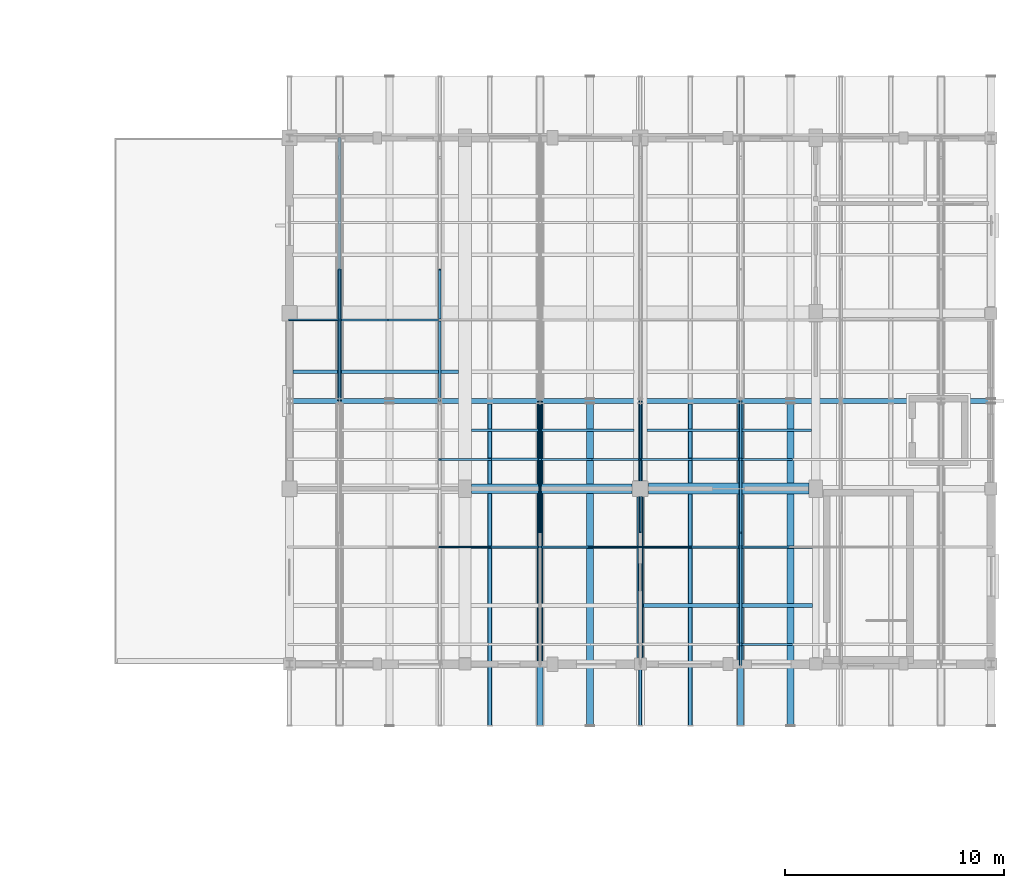
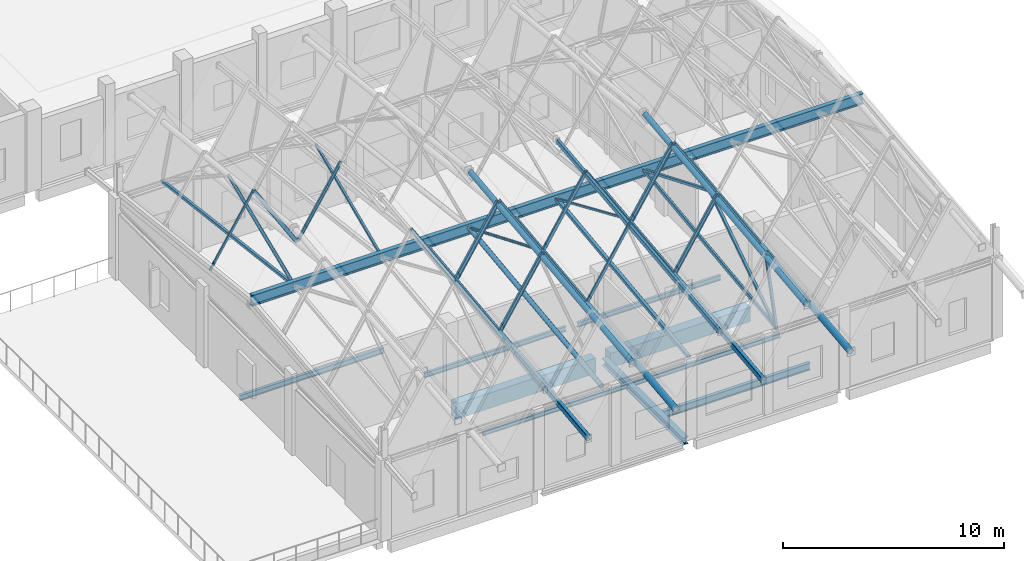
# One storey, part 21 of 77: 29 members, 17 beams.
"""IFC4 building model written with IfcOpenShell, lengths in metres."""

from ifc_helpers import new_model, si_unit, direction, frame, origin, origin_2d, place, context, subcontext, project, spatial, rectangle, hollow_rectangle, hollow_circle, i_section, extrude, material, material_profile, profile_set, type_object, element, save


model = new_model("IFC4")

# Units and contexts
model_context = context("Model", 3, precision=1e-05, world=origin(), true_north=direction((0.0, 1.0)))
body_context = subcontext(model_context, "Body", "Model", "MODEL_VIEW")
ifc_project = project(units=[si_unit("LENGTHUNIT", "METRE"), si_unit("AREAUNIT", "SQUARE_METRE"), si_unit("VOLUMEUNIT", "CUBIC_METRE"), si_unit("PLANEANGLEUNIT", "RADIAN"), si_unit("MASSUNIT", "GRAM", prefix="KILO")], contexts=[model_context])

# Site, building, storey
site_placement = place(None, origin())
site = spatial("IfcSite", under=ifc_project, at=site_placement, CompositionType="ELEMENT")
building_placement = place(site_placement, origin())
building = spatial("IfcBuilding", under=site, at=building_placement, Name="Luwemba Playhouse", CompositionType="ELEMENT")
storey_placement = place(building_placement, frame((0.0, 0.0, 9.300048828125)))
storey = spatial("IfcBuildingStorey", under=building, at=storey_placement, Name="L02", CompositionType="ELEMENT", Elevation=9.300048828125)

# Beams
ifc_material_1 = material(Name="Concrete C40/50", Category="concrete")
ifc_material_profile_1 = material_profile(ifc_material_1, rectangle(XDim=0.449951171875, YDim=0.85009765625, at=origin_2d()))
ifc_profile_set_1 = profile_set([ifc_material_profile_1], Name="Concrete C40/50")
beam_type_1 = type_object("IfcBeamType", Name="BM-RB05", PredefinedType="BEAM", material=ifc_profile_set_1)
beam_1_placement = place(storey_placement, frame((148.300048828125, 44.0, -0.675048828125), z_axis=(1.0, 0.0, 0.0), x_axis=(0.0, 1.0, 0.0)))
element("IfcBeam", 1, at=beam_1_placement, inside=storey, type_object=beam_type_1, Name="L02 grid girder 0703", PredefinedType="BEAM", context=body_context, shape_type="SweptSolid", body=[
    extrude(rectangle(XDim=0.449951171875, YDim=0.85009765625, at=origin_2d()), origin(), (0.0, 0.0, 1.0), 7.324951171875),
])
ifc_material_profile_2 = material_profile(ifc_material_1, rectangle(XDim=0.5, YDim=0.800048828125, at=origin_2d()))
ifc_profile_set_2 = profile_set([ifc_material_profile_2], Name="Concrete C40/50")
beam_type_2 = type_object("IfcBeamType", Name="BM-RB06", PredefinedType="BEAM", material=ifc_profile_set_2)
beam_2_placement = place(storey_placement, frame((156.375, 44.0, -0.650146484375), z_axis=(1.0, 0.0, 0.0), x_axis=(0.0, 1.0, 0.0)))
element("IfcBeam", 2, at=beam_2_placement, inside=storey, type_object=beam_type_2, Name="L02 grid girder 0704", PredefinedType="BEAM", context=body_context, shape_type="SweptSolid", body=[
    extrude(rectangle(XDim=0.5, YDim=0.800048828125, at=origin_2d()), origin(), (0.0, 0.0, 1.0), 7.324951171875),
])
ifc_material_2 = material(Name="Steel S355", Category="steel")
ifc_material_profile_3 = material_profile(ifc_material_2, hollow_rectangle(XDim=0.14990234375, YDim=0.25, WallThickness=0.010009765625, InnerFilletRadius=0.014892578125, OuterFilletRadius=0.02490234375, at=origin_2d()))
ifc_profile_set_3 = profile_set([ifc_material_profile_3], Name="Steel S355")
beam_type_3 = type_object("IfcBeamType", Name="BM-RTG1", PredefinedType="USERDEFINED", material=ifc_profile_set_3)
beam_3_placement = place(storey_placement, frame((156.0, 33.199951171875, 7.483154296875), z_axis=(0.0, 0.993766358241, 0.111482847235), x_axis=(-1.0, 0.0, 0.0)))
element("IfcBeam", 3, at=beam_3_placement, inside=storey, type_object=beam_type_3, Name="ROOF TRUSS ridge girder 0179", ObjectType="ROOF TRUSS", PredefinedType="USERDEFINED", context=body_context, shape_type="SweptSolid", body=[
    extrude(hollow_rectangle(XDim=0.14990234375, YDim=0.25, WallThickness=0.010009765625, InnerFilletRadius=0.014892578125, OuterFilletRadius=0.02490234375, at=origin_2d()), origin(), (0.0, 0.0, 1.0), 14.781982421875),
])
ifc_material_profile_4 = material_profile(ifc_material_2, hollow_rectangle(XDim=0.199951171875, YDim=0.300048828125, WallThickness=0.012451171875, InnerFilletRadius=0.018798828125, OuterFilletRadius=0.03125, at=origin_2d()))
ifc_profile_set_4 = profile_set([ifc_material_profile_4], Name="Steel S355")
beam_type_4 = type_object("IfcBeamType", Name="BM-RTG2", PredefinedType="USERDEFINED", material=ifc_profile_set_4)
for number, where, z_axis, x_axis, name in (
    (4, (149.142822265625, 33.199951171875, 3.998046875), (0.0, 0.993768187881, 0.11146653648), (-1.0, 0.0, 0.0), "ROOF TRUSS valley girder 0173"),
    (5, (158.28564453125, 33.199951171875, 3.998046875), (0.0, 0.993768187881, 0.11146653648), (-1.0, 0.0, 0.0), "ROOF TRUSS valley girder 0181"),
):
    element("IfcBeam", number, at=place(storey_placement, frame(where, z_axis=z_axis, x_axis=x_axis)), inside=storey, type_object=beam_type_4, Name=name, ObjectType="ROOF TRUSS", PredefinedType="USERDEFINED", context=body_context, shape_type="SweptSolid", body=[
        extrude(hollow_rectangle(XDim=0.199951171875, YDim=0.300048828125, WallThickness=0.012451171875, InnerFilletRadius=0.018798828125, OuterFilletRadius=0.03125, at=origin_2d()), origin(), (0.0, 0.0, 1.0), 14.781982421875),
    ])
ifc_material_profile_5 = material_profile(ifc_material_2, hollow_circle(Radius=0.136474609375, WallThickness=0.012451171875, at=origin_2d()))
ifc_profile_set_5 = profile_set([ifc_material_profile_5], Name="Steel S355")
beam_type_5 = type_object("IfcBeamType", Name="BM-RTG3", PredefinedType="USERDEFINED", material=ifc_profile_set_5)
for number, where, z_axis, x_axis, name in (
    (6, (151.4287109375, 33.199951171875, 7.373291015625), (0.0, 0.993768187881, 0.11146653648), (-1.0, 0.0, 0.0), "ROOF TRUSS ridge girder 0175"),
    (7, (160.5712890625, 33.199951171875, 7.37353515625), (0.0, 0.993768187881, 0.11146653648), (-1.0, 0.0, 0.0), "ROOF TRUSS ridge girder 0183"),
):
    element("IfcBeam", number, at=place(storey_placement, frame(where, z_axis=z_axis, x_axis=x_axis)), inside=storey, type_object=beam_type_5, Name=name, ObjectType="ROOF TRUSS", PredefinedType="USERDEFINED", context=body_context, shape_type="SweptSolid", body=[
        extrude(hollow_circle(Radius=0.136474609375, WallThickness=0.012451171875, at=origin_2d()), origin(), (0.0, 0.0, 1.0), 14.781982421875),
    ])
ifc_material_profile_6 = material_profile(ifc_material_2, hollow_circle(Radius=0.161865234375, WallThickness=0.01611328125, at=origin_2d()))
ifc_profile_set_6 = profile_set([ifc_material_profile_6], Name="Steel S355")
beam_type_6 = type_object("IfcBeamType", Name="BM-RTG4", PredefinedType="USERDEFINED", material=ifc_profile_set_6)
for number, where, z_axis, x_axis, name in (
    (8, (153.71435546875, 33.199951171875, 3.986328125), (0.0, 0.993768187881, 0.11146653648), (-1.0, 0.0, 0.0), "ROOF TRUSS valley girder 0177"),
    (9, (162.857177734375, 33.199951171875, 3.986083984375), (0.0, 0.993768187881, 0.11146653648), (-1.0, 0.0, 0.0), "ROOF TRUSS valley girder 0185"),
):
    element("IfcBeam", number, at=place(storey_placement, frame(where, z_axis=z_axis, x_axis=x_axis)), inside=storey, type_object=beam_type_6, Name=name, ObjectType="ROOF TRUSS", PredefinedType="USERDEFINED", context=body_context, shape_type="SweptSolid", body=[
        extrude(hollow_circle(Radius=0.161865234375, WallThickness=0.01611328125, at=origin_2d()), origin(), (0.0, 0.0, 1.0), 14.781982421875),
    ])
ifc_material_profile_7 = material_profile(ifc_material_2, i_section(OverallWidth=0.300048828125, OverallDepth=0.389892578125, WebThickness=0.010986328125, FlangeThickness=0.01904296875, FilletRadius=0.027099609375, at=origin_2d()))
ifc_profile_set_7 = profile_set([ifc_material_profile_7], Name="Steel S355")
beam_type_7 = type_object("IfcBeamType", Name="BM-SB05", PredefinedType="BEAM", material=ifc_profile_set_7)
beam_4_placement = place(storey_placement, frame((156.0, 36.300048828125, -0.445068359375), z_axis=(0.0, 1.0, 0.0), x_axis=(-1.0, 0.0, 0.0)))
element("IfcBeam", 10, at=beam_4_placement, inside=storey, type_object=beam_type_7, Name="L02 transverse girder 0717", PredefinedType="BEAM", context=body_context, shape_type="SweptSolid", body=[
    extrude(i_section(OverallWidth=0.300048828125, OverallDepth=0.389892578125, WebThickness=0.010986328125, FlangeThickness=0.01904296875, FilletRadius=0.027099609375, at=origin_2d()), origin(), (0.0, 0.0, 1.0), 7.324951171875),
])
ifc_material_profile_8 = material_profile(ifc_material_2, i_section(OverallWidth=0.219970703125, OverallDepth=0.60009765625, WebThickness=0.011962890625, FlangeThickness=0.01904296875, FilletRadius=0.02392578125, at=origin_2d()))
ifc_profile_set_8 = profile_set([ifc_material_profile_8], Name="Steel S355")
beam_type_8 = type_object("IfcBeamType", Name="BM-SB08", PredefinedType="BEAM", material=ifc_profile_set_8)
beam_5_placement = place(storey_placement, frame((140.0, 48.0, 5.865966796875), z_axis=(1.0, 0.0, 0.0), x_axis=(0.0, 1.0, 0.0)))
element("IfcBeam", 11, at=beam_5_placement, inside=storey, type_object=beam_type_8, Name="RF-V3 central ridge spine girder 0164", PredefinedType="BEAM", context=body_context, shape_type="SweptSolid", body=[
    extrude(i_section(OverallWidth=0.219970703125, OverallDepth=0.60009765625, WebThickness=0.011962890625, FlangeThickness=0.01904296875, FilletRadius=0.02392578125, at=origin_2d()), origin(), (0.0, 0.0, 1.0), 32.0),
])
ifc_material_profile_9 = material_profile(ifc_material_2, i_section(OverallWidth=0.1201171875, OverallDepth=0.239990234375, WebThickness=0.006103515625, FlangeThickness=0.009765625, FilletRadius=0.014892578125, at=origin_2d()))
ifc_profile_set_9 = profile_set([ifc_material_profile_9], Name="Steel S355")
beam_type_9 = type_object("IfcBeamType", Name="BM-SJ03", PredefinedType="JOIST", material=ifc_profile_set_9)
beam_6_placement = place(storey_placement, frame((148.27099609375, 41.333251953125, -0.3701171875), z_axis=(1.0, 0.0, 0.0), x_axis=(0.0, 1.0, 0.0)))
element("IfcBeam", 12, at=beam_6_placement, inside=storey, type_object=beam_type_9, Name="L02 composite floor joist 0411", PredefinedType="JOIST", context=body_context, shape_type="SweptSolid", body=[
    extrude(i_section(OverallWidth=0.1201171875, OverallDepth=0.239990234375, WebThickness=0.006103515625, FlangeThickness=0.009765625, FilletRadius=0.014892578125, at=origin_2d()), origin(), (0.0, 0.0, 1.0), 7.5830078125),
])
beam_7_placement = place(storey_placement, frame((156.14599609375, 41.333251953125, -0.3701171875), z_axis=(1.0, 0.0, 0.0), x_axis=(0.0, 1.0, 0.0)))
element("IfcBeam", 13, at=beam_7_placement, inside=storey, type_object=beam_type_9, Name="L02 composite floor joist 0417", PredefinedType="JOIST", context=body_context, shape_type="SweptSolid", body=[
    extrude(i_section(OverallWidth=0.1201171875, OverallDepth=0.239990234375, WebThickness=0.006103515625, FlangeThickness=0.009765625, FilletRadius=0.014892578125, at=origin_2d()), origin(), (0.0, 0.0, 1.0), 7.7080078125),
])
ifc_material_profile_10 = material_profile(ifc_material_2, i_section(OverallWidth=0.135009765625, OverallDepth=0.27001953125, WebThickness=0.006591796875, FlangeThickness=0.01025390625, FilletRadius=0.014892578125, at=origin_2d()))
ifc_profile_set_10 = profile_set([ifc_material_profile_10], Name="Steel S355")
beam_type_10 = type_object("IfcBeamType", Name="BM-SJ04", PredefinedType="JOIST", material=ifc_profile_set_10)
beam_8_placement = place(storey_placement, frame((148.2958984375, 46.666748046875, -0.385009765625), z_axis=(1.0, 0.0, 0.0), x_axis=(0.0, 1.0, 0.0)))
element("IfcBeam", 14, at=beam_8_placement, inside=storey, type_object=beam_type_10, Name="L02 composite floor joist 0412", PredefinedType="JOIST", context=body_context, shape_type="SweptSolid", body=[
    extrude(i_section(OverallWidth=0.135009765625, OverallDepth=0.27001953125, WebThickness=0.006591796875, FlangeThickness=0.01025390625, FilletRadius=0.014892578125, at=origin_2d()), origin(), (0.0, 0.0, 1.0), 7.408203125),
])
beam_9_placement = place(storey_placement, frame((156.2958984375, 46.666748046875, -0.385009765625), z_axis=(1.0, 0.0, 0.0), x_axis=(0.0, 1.0, 0.0)))
element("IfcBeam", 15, at=beam_9_placement, inside=storey, type_object=beam_type_10, Name="L02 composite floor joist 0418", PredefinedType="JOIST", context=body_context, shape_type="SweptSolid", body=[
    extrude(i_section(OverallWidth=0.135009765625, OverallDepth=0.27001953125, WebThickness=0.006591796875, FlangeThickness=0.01025390625, FilletRadius=0.014892578125, at=origin_2d()), origin(), (0.0, 0.0, 1.0), 7.508056640625),
])
ifc_material_profile_11 = material_profile(ifc_material_2, i_section(OverallWidth=0.14990234375, OverallDepth=0.300048828125, WebThickness=0.007080078125, FlangeThickness=0.0107421875, FilletRadius=0.014892578125, at=origin_2d()))
ifc_profile_set_11 = profile_set([ifc_material_profile_11], Name="Steel S355")
beam_type_11 = type_object("IfcBeamType", Name="BM-SJ05", PredefinedType="JOIST", material=ifc_profile_set_11)
beam_10_placement = place(storey_placement, frame((140.1708984375, 49.333251953125, -0.400146484375), z_axis=(1.0, 0.0, 0.0), x_axis=(0.0, 1.0, 0.0)))
element("IfcBeam", 16, at=beam_10_placement, inside=storey, type_object=beam_type_11, Name="L02 composite floor joist 0407", PredefinedType="JOIST", context=body_context, shape_type="SweptSolid", body=[
    extrude(i_section(OverallWidth=0.14990234375, OverallDepth=0.300048828125, WebThickness=0.007080078125, FlangeThickness=0.0107421875, FilletRadius=0.014892578125, at=origin_2d()), origin(), (0.0, 0.0, 1.0), 7.533203125),
])
ifc_material_profile_12 = material_profile(ifc_material_2, i_section(OverallWidth=0.179931640625, OverallDepth=0.39990234375, WebThickness=0.008544921875, FlangeThickness=0.013427734375, FilletRadius=0.02099609375, at=origin_2d()))
ifc_profile_set_12 = profile_set([ifc_material_profile_12], Name="Steel S355")
beam_type_12 = type_object("IfcBeamType", Name="BM-SJ08", PredefinedType="JOIST", material=ifc_profile_set_12)
beam_11_placement = place(storey_placement, frame((156.14599609375, 38.666748046875, -0.449951171875), z_axis=(1.0, 0.0, 0.0), x_axis=(0.0, 1.0, 0.0)))
element("IfcBeam", 17, at=beam_11_placement, inside=storey, type_object=beam_type_12, Name="L02 composite floor joist 0416", PredefinedType="JOIST", context=body_context, shape_type="SweptSolid", body=[
    extrude(i_section(OverallWidth=0.179931640625, OverallDepth=0.39990234375, WebThickness=0.008544921875, FlangeThickness=0.013427734375, FilletRadius=0.02099609375, at=origin_2d()), origin(), (0.0, 0.0, 1.0), 7.7080078125),
])

# Members
ifc_material_profile_13 = material_profile(ifc_material_2, hollow_circle(Radius=0.06982421875, WallThickness=0.008056640625, at=origin_2d()))
ifc_profile_set_13 = profile_set([ifc_material_profile_13], Name="Steel S355")
member_type_1 = type_object("IfcMemberType", Name="MEM-MB01", PredefinedType="BRACE", material=ifc_profile_set_13)
member_1_placement = place(storey_placement, frame((151.4287109375, 48.0, 5.865966796875), z_axis=(0.0, -0.923383434978, 0.38387892884), x_axis=(1.0, 0.0, 0.0)))
element("IfcMember", 18, at=member_1_placement, inside=storey, type_object=member_type_1, Name="ROOF TRUSS web diagonal 0154", PredefinedType="BRACE", context=body_context, shape_type="SweptSolid", body=[
    extrude(hollow_circle(Radius=0.06982421875, WallThickness=0.008056640625, at=origin_2d()), origin(), (0.0, 0.0, 1.0), 6.497802734375),
])
ifc_material_profile_14 = material_profile(ifc_material_2, hollow_circle(Radius=0.084228515625, WallThickness=0.008056640625, at=origin_2d()))
ifc_profile_set_14 = profile_set([ifc_material_profile_14], Name="Steel S355")
member_type_2 = type_object("IfcMemberType", Name="MEM-MB02", PredefinedType="BRACE", material=ifc_profile_set_14)
member_2_placement = place(storey_placement, frame((142.28564453125, 48.0, 5.865966796875), z_axis=(0.0, 0.923383434978, 0.38387892884), x_axis=(-1.0, 0.0, 0.0)))
element("IfcMember", 19, at=member_2_placement, inside=storey, type_object=member_type_2, Name="ROOF TRUSS web diagonal 0143", PredefinedType="BRACE", context=body_context, shape_type="SweptSolid", body=[
    extrude(hollow_circle(Radius=0.084228515625, WallThickness=0.008056640625, at=origin_2d()), origin(), (0.0, 0.0, 1.0), 6.497802734375),
])
ifc_material_profile_15 = material_profile(ifc_material_2, hollow_rectangle(XDim=0.10009765625, YDim=0.10009765625, WallThickness=0.00634765625, InnerFilletRadius=0.009521484375, OuterFilletRadius=0.015869140625, at=origin_2d()))
ifc_profile_set_15 = profile_set([ifc_material_profile_15], Name="Steel S355")
member_type_3 = type_object("IfcMemberType", Name="MEM-MB05", PredefinedType="BRACE", material=ifc_profile_set_15)
member_3_placement = place(storey_placement, frame((156.0, 48.0, 5.865966796875), z_axis=(0.0, -0.917304885727, 0.398185568072), x_axis=(1.0, 0.0, 0.0)))
element("IfcMember", 20, at=member_3_placement, inside=storey, type_object=member_type_3, Name="ROOF TRUSS web diagonal 0160", PredefinedType="BRACE", context=body_context, shape_type="SweptSolid", body=[
    extrude(hollow_rectangle(XDim=0.10009765625, YDim=0.10009765625, WallThickness=0.00634765625, InnerFilletRadius=0.009521484375, OuterFilletRadius=0.015869140625, at=origin_2d()), origin(), (0.0, 0.0, 1.0), 6.541015625),
])
ifc_material_profile_16 = material_profile(ifc_material_2, hollow_rectangle(XDim=0.1201171875, YDim=0.1201171875, WallThickness=0.008056640625, InnerFilletRadius=0.011962890625, OuterFilletRadius=0.02001953125, at=origin_2d()))
ifc_profile_set_16 = profile_set([ifc_material_profile_16], Name="Steel S355")
member_type_4 = type_object("IfcMemberType", Name="MEM-MB06", PredefinedType="BRACE", material=ifc_profile_set_16)
member_4_placement = place(storey_placement, frame((146.857177734375, 48.0, 5.865966796875), z_axis=(0.0, 0.917304885727, 0.398185568072), x_axis=(-1.0, 0.0, 0.0)))
element("IfcMember", 21, at=member_4_placement, inside=storey, type_object=member_type_4, Name="ROOF TRUSS web diagonal 0149", PredefinedType="BRACE", context=body_context, shape_type="SweptSolid", body=[
    extrude(hollow_rectangle(XDim=0.1201171875, YDim=0.1201171875, WallThickness=0.008056640625, InnerFilletRadius=0.011962890625, OuterFilletRadius=0.02001953125, at=origin_2d()), origin(), (0.0, 0.0, 1.0), 6.541015625),
])
ifc_material_profile_17 = material_profile(ifc_material_2, hollow_rectangle(XDim=0.139892578125, YDim=0.139892578125, WallThickness=0.008056640625, InnerFilletRadius=0.011962890625, OuterFilletRadius=0.02001953125, at=origin_2d()))
ifc_profile_set_17 = profile_set([ifc_material_profile_17], Name="Steel S355")
member_type_5 = type_object("IfcMemberType", Name="MEM-MB07", PredefinedType="BRACE", material=ifc_profile_set_17)
member_5_placement = place(storey_placement, frame((160.5712890625, 36.0, 4.39990234375), z_axis=(0.0, 0.834565065681, 0.550909385602), x_axis=(-1.0, 0.0, 0.0)))
element("IfcMember", 22, at=member_5_placement, inside=storey, type_object=member_type_5, Name="ROOF TRUSS web diagonal 0165", PredefinedType="BRACE", context=body_context, shape_type="SweptSolid", body=[
    extrude(hollow_rectangle(XDim=0.139892578125, YDim=0.139892578125, WallThickness=0.008056640625, InnerFilletRadius=0.011962890625, OuterFilletRadius=0.02001953125, at=origin_2d()), origin(), (0.0, 0.0, 1.0), 7.189453125),
])
member_6_placement = place(storey_placement, frame((160.5712890625, 48.0, 5.865966796875), z_axis=(0.0, -0.923370116363, 0.383910963908), x_axis=(1.0, 0.0, 0.0)))
element("IfcMember", 23, at=member_6_placement, inside=storey, type_object=member_type_5, Name="ROOF TRUSS web diagonal 0166", PredefinedType="BRACE", context=body_context, shape_type="SweptSolid", body=[
    extrude(hollow_rectangle(XDim=0.139892578125, YDim=0.139892578125, WallThickness=0.008056640625, InnerFilletRadius=0.011962890625, OuterFilletRadius=0.02001953125, at=origin_2d()), origin(), (0.0, 0.0, 1.0), 6.498046875),
])
member_7_placement = place(storey_placement, frame((160.5712890625, 36.0, 4.39990234375), z_axis=(0.0, 0.256682973169, 0.966495655078), x_axis=(-1.0, 0.0, 0.0)))
element("IfcMember", 24, at=member_7_placement, inside=storey, type_object=member_type_5, Name="ROOF TRUSS eave knee strut 0038", PredefinedType="BRACE", context=body_context, shape_type="SweptSolid", body=[
    extrude(hollow_rectangle(XDim=0.139892578125, YDim=0.139892578125, WallThickness=0.008056640625, InnerFilletRadius=0.011962890625, OuterFilletRadius=0.02001953125, at=origin_2d()), origin(), (0.0, 0.0, 1.0), 3.505859375),
])
ifc_material_profile_18 = material_profile(ifc_material_2, hollow_circle(Radius=0.122314453125, WallThickness=0.012451171875, at=origin_2d()))
ifc_profile_set_18 = profile_set([ifc_material_profile_18], Name="Steel S355")
member_type_6 = type_object("IfcMemberType", Name="MEM-MC01", PredefinedType="CHORD", material=ifc_profile_set_18)
member_8_placement = place(storey_placement, frame((151.4287109375, 36.0, 4.39990234375), z_axis=(0.0, 0.99261951546, 0.121270348924), x_axis=(-1.0, 0.0, 0.0)))
element("IfcMember", 25, at=member_8_placement, inside=storey, type_object=member_type_6, Name="ROOF TRUSS south bottom chord 0151", PredefinedType="CHORD", context=body_context, shape_type="SweptSolid", body=[
    extrude(hollow_circle(Radius=0.122314453125, WallThickness=0.012451171875, at=origin_2d()), origin(), (0.0, 0.0, 1.0), 12.089111328125),
])
ifc_material_profile_19 = material_profile(ifc_material_2, hollow_rectangle(XDim=0.14990234375, YDim=0.14990234375, WallThickness=0.010009765625, InnerFilletRadius=0.014892578125, OuterFilletRadius=0.02490234375, at=origin_2d()))
ifc_profile_set_19 = profile_set([ifc_material_profile_19], Name="Steel S355")
member_type_7 = type_object("IfcMemberType", Name="MEM-MC02", PredefinedType="CHORD", material=ifc_profile_set_19)
member_9_placement = place(storey_placement, frame((142.28564453125, 48.0, 5.865966796875), z_axis=(0.0, 0.99261951546, -0.121270348924), x_axis=(-1.0, 0.0, 0.0)))
element("IfcMember", 26, at=member_9_placement, inside=storey, type_object=member_type_7, Name="ROOF TRUSS north bottom chord 0140", PredefinedType="CHORD", context=body_context, shape_type="SweptSolid", body=[
    extrude(hollow_rectangle(XDim=0.14990234375, YDim=0.14990234375, WallThickness=0.010009765625, InnerFilletRadius=0.014892578125, OuterFilletRadius=0.02490234375, at=origin_2d()), origin(), (0.0, 0.0, 1.0), 12.089111328125),
])
ifc_material_profile_20 = material_profile(ifc_material_2, hollow_rectangle(XDim=0.179931640625, YDim=0.179931640625, WallThickness=0.010009765625, InnerFilletRadius=0.014892578125, OuterFilletRadius=0.02490234375, at=origin_2d()))
ifc_profile_set_20 = profile_set([ifc_material_profile_20], Name="Steel S355")
member_type_8 = type_object("IfcMemberType", Name="MEM-MC03", PredefinedType="CHORD", material=ifc_profile_set_20)
member_10_placement = place(storey_placement, frame((156.0, 36.0, 4.39990234375), z_axis=(0.0, 0.99261951546, 0.121270348924), x_axis=(-1.0, 0.0, 0.0)))
element("IfcMember", 27, at=member_10_placement, inside=storey, type_object=member_type_8, Name="ROOF TRUSS south bottom chord 0157", PredefinedType="CHORD", context=body_context, shape_type="SweptSolid", body=[
    extrude(hollow_rectangle(XDim=0.179931640625, YDim=0.179931640625, WallThickness=0.010009765625, InnerFilletRadius=0.014892578125, OuterFilletRadius=0.02490234375, at=origin_2d()), origin(), (0.0, 0.0, 1.0), 12.089111328125),
])
ifc_material_profile_21 = material_profile(ifc_material_2, hollow_rectangle(XDim=0.1201171875, YDim=0.199951171875, WallThickness=0.010009765625, InnerFilletRadius=0.014892578125, OuterFilletRadius=0.02490234375, at=origin_2d()))
ifc_profile_set_21 = profile_set([ifc_material_profile_21], Name="Steel S355")
member_type_9 = type_object("IfcMemberType", Name="MEM-MC05", PredefinedType="CHORD", material=ifc_profile_set_21)
member_11_placement = place(storey_placement, frame((160.5712890625, 36.0, 4.39990234375), z_axis=(0.0, 0.99261951546, 0.121270348924), x_axis=(-1.0, 0.0, 0.0)))
element("IfcMember", 28, at=member_11_placement, inside=storey, type_object=member_type_9, Name="ROOF TRUSS south bottom chord 0163", PredefinedType="CHORD", context=body_context, shape_type="SweptSolid", body=[
    extrude(hollow_rectangle(XDim=0.1201171875, YDim=0.199951171875, WallThickness=0.010009765625, InnerFilletRadius=0.014892578125, OuterFilletRadius=0.02490234375, at=origin_2d()), origin(), (0.0, 0.0, 1.0), 12.089111328125),
])
ifc_material_profile_22 = material_profile(ifc_material_2, hollow_rectangle(XDim=0.080078125, YDim=0.1201171875, WallThickness=0.00634765625, InnerFilletRadius=0.009521484375, OuterFilletRadius=0.015869140625, at=origin_2d()))
ifc_profile_set_22 = profile_set([ifc_material_profile_22], Name="Steel S355")
member_type_10 = type_object("IfcMemberType", Name="MEM-MP01", PredefinedType="PURLIN", material=ifc_profile_set_22)
for number, where, z_axis, x_axis, name in (
    (29, (140.0, 51.699951171875, 5.274169921875), (0.530309496681, 0.0, 0.847804126984), (0.0, 1.0, 0.0), "Pleated roof purlin 0280"),
    (30, (146.857177734375, 41.340087890625, 8.59619140625), (0.530309496681, 0.0, -0.847804126984), (0.0, 1.0, 0.0), "Pleated roof purlin 0296"),
    (31, (156.0, 41.340087890625, 8.59619140625), (0.530309496681, 0.0, -0.847804126984), (0.0, 1.0, 0.0), "Pleated roof purlin 0320"),
):
    element("IfcMember", number, at=place(storey_placement, frame(where, z_axis=z_axis, x_axis=x_axis)), inside=storey, type_object=member_type_10, Name=name, PredefinedType="PURLIN", context=body_context, shape_type="SweptSolid", body=[
        extrude(hollow_rectangle(XDim=0.080078125, YDim=0.1201171875, WallThickness=0.00634765625, InnerFilletRadius=0.009521484375, OuterFilletRadius=0.015869140625, at=origin_2d()), origin(), (0.0, 0.0, 1.0), 4.31005859375),
    ])
ifc_material_profile_23 = material_profile(ifc_material_2, hollow_rectangle(XDim=0.10009765625, YDim=0.14990234375, WallThickness=0.008056640625, InnerFilletRadius=0.011962890625, OuterFilletRadius=0.02001953125, at=origin_2d()))
ifc_profile_set_23 = profile_set([ifc_material_profile_23], Name="Steel S355")
member_type_11 = type_object("IfcMemberType", Name="MEM-MP02", PredefinedType="PURLIN", material=ifc_profile_set_23)
for number, where, z_axis, x_axis, name in (
    (32, (146.857177734375, 45.3359375, 9.013427734375), (0.530309496681, 0.0, -0.847804126984), (0.0, 1.0, 0.0), "Pleated roof purlin 0297"),
    (33, (156.0, 45.3359375, 9.013427734375), (0.530309496681, 0.0, -0.847804126984), (0.0, 1.0, 0.0), "Pleated roof purlin 0321"),
):
    element("IfcMember", number, at=place(storey_placement, frame(where, z_axis=z_axis, x_axis=x_axis)), inside=storey, type_object=member_type_11, Name=name, PredefinedType="PURLIN", context=body_context, shape_type="SweptSolid", body=[
        extrude(hollow_rectangle(XDim=0.10009765625, YDim=0.14990234375, WallThickness=0.008056640625, InnerFilletRadius=0.011962890625, OuterFilletRadius=0.02001953125, at=origin_2d()), origin(), (0.0, 0.0, 1.0), 4.31005859375),
    ])
ifc_material_profile_24 = material_profile(ifc_material_2, hollow_rectangle(XDim=0.080078125, YDim=0.159912109375, WallThickness=0.00634765625, InnerFilletRadius=0.009521484375, OuterFilletRadius=0.015869140625, at=origin_2d()))
ifc_profile_set_24 = profile_set([ifc_material_profile_24], Name="Steel S355")
member_type_12 = type_object("IfcMemberType", Name="MEM-MP03", PredefinedType="PURLIN", material=ifc_profile_set_24)
member_12_placement = place(storey_placement, frame((153.71435546875, 41.340087890625, 4.92236328125), z_axis=(0.530334965128, 0.0, 0.847788195697), x_axis=(0.0, 1.0, 0.0)))
element("IfcMember", 34, at=member_12_placement, inside=storey, type_object=member_type_12, Name="Pleated roof purlin 0314", PredefinedType="PURLIN", context=body_context, shape_type="SweptSolid", body=[
    extrude(hollow_rectangle(XDim=0.080078125, YDim=0.159912109375, WallThickness=0.00634765625, InnerFilletRadius=0.009521484375, OuterFilletRadius=0.015869140625, at=origin_2d()), origin(), (0.0, 0.0, 1.0), 4.309814453125),
])
ifc_material_profile_25 = material_profile(ifc_material_2, hollow_rectangle(XDim=0.10009765625, YDim=0.179931640625, WallThickness=0.008056640625, InnerFilletRadius=0.011962890625, OuterFilletRadius=0.02001953125, at=origin_2d()))
ifc_profile_set_25 = profile_set([ifc_material_profile_25], Name="Steel S355")
member_type_13 = type_object("IfcMemberType", Name="MEM-MP04", PredefinedType="PURLIN", material=ifc_profile_set_25)
for number, where, z_axis, x_axis, name in (
    (35, (153.71435546875, 45.3359375, 5.344482421875), (0.530309496681, 0.0, 0.847804126984), (0.0, 1.0, 0.0), "Pleated roof purlin 0315"),
    (36, (160.5712890625, 36.89990234375, 8.05224609375), (0.530350209601, 0.0, -0.847778659307), (0.0, 1.0, 0.0), "Pleated roof purlin 0331"),
):
    element("IfcMember", number, at=place(storey_placement, frame(where, z_axis=z_axis, x_axis=x_axis)), inside=storey, type_object=member_type_13, Name=name, PredefinedType="PURLIN", context=body_context, shape_type="SweptSolid", body=[
        extrude(hollow_rectangle(XDim=0.10009765625, YDim=0.179931640625, WallThickness=0.008056640625, InnerFilletRadius=0.011962890625, OuterFilletRadius=0.02001953125, at=origin_2d()), origin(), (0.0, 0.0, 1.0), 4.31005859375),
    ])
ifc_material_profile_26 = material_profile(ifc_material_2, i_section(OverallWidth=0.08203125, OverallDepth=0.159912109375, WebThickness=0.0048828125, FlangeThickness=0.00732421875, FilletRadius=0.009033203125, at=origin_2d()))
ifc_profile_set_26 = profile_set([ifc_material_profile_26], Name="Steel S355")
member_type_14 = type_object("IfcMemberType", Name="MEM-MP05", PredefinedType="PURLIN", material=ifc_profile_set_26)
member_13_placement = place(storey_placement, frame((144.5712890625, 51.699951171875, 5.25244140625), z_axis=(0.530350209601, 0.0, 0.847778659307), x_axis=(0.0, 1.0, 0.0)))
element("IfcMember", 37, at=member_13_placement, inside=storey, type_object=member_type_14, Name="Pleated roof purlin 0292", PredefinedType="PURLIN", context=body_context, shape_type="SweptSolid", body=[
    extrude(i_section(OverallWidth=0.08203125, OverallDepth=0.159912109375, WebThickness=0.0048828125, FlangeThickness=0.00732421875, FilletRadius=0.009033203125, at=origin_2d()), origin(), (0.0, 0.0, 1.0), 4.31005859375),
])
member_14_placement = place(storey_placement, frame((151.4287109375, 41.340087890625, 8.574462890625), z_axis=(0.530334965128, 0.0, -0.847788195697), x_axis=(0.0, 1.0, 0.0)))
element("IfcMember", 38, at=member_14_placement, inside=storey, type_object=member_type_14, Name="Pleated roof purlin 0308", PredefinedType="PURLIN", context=body_context, shape_type="SweptSolid", body=[
    extrude(i_section(OverallWidth=0.08203125, OverallDepth=0.159912109375, WebThickness=0.0048828125, FlangeThickness=0.00732421875, FilletRadius=0.009033203125, at=origin_2d()), origin(), (0.0, 0.0, 1.0), 4.309814453125),
])
member_15_placement = place(storey_placement, frame((160.5712890625, 41.340087890625, 8.57470703125), z_axis=(0.530350209601, 0.0, -0.847778659307), x_axis=(0.0, 1.0, 0.0)))
element("IfcMember", 39, at=member_15_placement, inside=storey, type_object=member_type_14, Name="Pleated roof purlin 0332", PredefinedType="PURLIN", context=body_context, shape_type="SweptSolid", body=[
    extrude(i_section(OverallWidth=0.08203125, OverallDepth=0.159912109375, WebThickness=0.0048828125, FlangeThickness=0.00732421875, FilletRadius=0.009033203125, at=origin_2d()), origin(), (0.0, 0.0, 1.0), 4.31005859375),
])
ifc_material_profile_27 = material_profile(ifc_material_2, i_section(OverallWidth=0.091064453125, OverallDepth=0.179931640625, WebThickness=0.00537109375, FlangeThickness=0.008056640625, FilletRadius=0.009033203125, at=origin_2d()))
ifc_profile_set_27 = profile_set([ifc_material_profile_27], Name="Steel S355")
member_type_15 = type_object("IfcMemberType", Name="MEM-MP06", PredefinedType="PURLIN", material=ifc_profile_set_27)
for number, where, z_axis, x_axis, name in (
    (40, (151.4287109375, 45.3359375, 9.005615234375), (0.530309496681, 0.0, -0.847804126984), (0.0, 1.0, 0.0), "Pleated roof purlin 0309"),
    (41, (160.5712890625, 45.3359375, 9.005615234375), (0.530350209601, 0.0, -0.847778659307), (0.0, 1.0, 0.0), "Pleated roof purlin 0333"),
):
    element("IfcMember", number, at=place(storey_placement, frame(where, z_axis=z_axis, x_axis=x_axis)), inside=storey, type_object=member_type_15, Name=name, PredefinedType="PURLIN", context=body_context, shape_type="SweptSolid", body=[
        extrude(i_section(OverallWidth=0.091064453125, OverallDepth=0.179931640625, WebThickness=0.00537109375, FlangeThickness=0.008056640625, FilletRadius=0.009033203125, at=origin_2d()), origin(), (0.0, 0.0, 1.0), 4.31005859375),
    ])
ifc_material_profile_28 = material_profile(ifc_material_2, i_section(OverallWidth=0.10009765625, OverallDepth=0.199951171875, WebThickness=0.005615234375, FlangeThickness=0.008544921875, FilletRadius=0.011962890625, at=origin_2d()))
ifc_profile_set_28 = profile_set([ifc_material_profile_28], Name="Steel S355")
member_type_16 = type_object("IfcMemberType", Name="MEM-MP07", PredefinedType="PURLIN", material=ifc_profile_set_28)
for number, where, z_axis, x_axis, name in (
    (42, (142.28564453125, 51.699951171875, 8.872314453125), (0.530309496681, 0.0, -0.847804126984), (0.0, 1.0, 0.0), "Pleated roof purlin 0286"),
    (43, (149.142822265625, 41.340087890625, 4.88623046875), (0.530350209601, 0.0, 0.847778659307), (0.0, 1.0, 0.0), "Pleated roof purlin 0302"),
):
    element("IfcMember", number, at=place(storey_placement, frame(where, z_axis=z_axis, x_axis=x_axis)), inside=storey, type_object=member_type_16, Name=name, PredefinedType="PURLIN", context=body_context, shape_type="SweptSolid", body=[
        extrude(i_section(OverallWidth=0.10009765625, OverallDepth=0.199951171875, WebThickness=0.005615234375, FlangeThickness=0.008544921875, FilletRadius=0.011962890625, at=origin_2d()), origin(), (0.0, 0.0, 1.0), 4.31005859375),
    ])
member_16_placement = place(storey_placement, frame((158.28564453125, 41.340087890625, 4.88623046875), z_axis=(0.530334965128, 0.0, 0.847788195697), x_axis=(0.0, 1.0, 0.0)))
element("IfcMember", 44, at=member_16_placement, inside=storey, type_object=member_type_16, Name="Pleated roof purlin 0326", PredefinedType="PURLIN", context=body_context, shape_type="SweptSolid", body=[
    extrude(i_section(OverallWidth=0.10009765625, OverallDepth=0.199951171875, WebThickness=0.005615234375, FlangeThickness=0.008544921875, FilletRadius=0.011962890625, at=origin_2d()), origin(), (0.0, 0.0, 1.0), 4.309814453125),
])
ifc_material_profile_29 = material_profile(ifc_material_2, i_section(OverallWidth=0.110107421875, OverallDepth=0.219970703125, WebThickness=0.005859375, FlangeThickness=0.00927734375, FilletRadius=0.011962890625, at=origin_2d()))
ifc_profile_set_29 = profile_set([ifc_material_profile_29], Name="Steel S355")
member_type_17 = type_object("IfcMemberType", Name="MEM-MP08", PredefinedType="PURLIN", material=ifc_profile_set_29)
for number, where, z_axis, x_axis, name in (
    (45, (149.142822265625, 45.3359375, 5.31640625), (0.530350209601, 0.0, 0.847778659307), (0.0, 1.0, 0.0), "Pleated roof purlin 0303"),
    (46, (158.28564453125, 45.3359375, 5.31640625), (0.530309496681, 0.0, 0.847804126984), (0.0, 1.0, 0.0), "Pleated roof purlin 0327"),
):
    element("IfcMember", number, at=place(storey_placement, frame(where, z_axis=z_axis, x_axis=x_axis)), inside=storey, type_object=member_type_17, Name=name, PredefinedType="PURLIN", context=body_context, shape_type="SweptSolid", body=[
        extrude(i_section(OverallWidth=0.110107421875, OverallDepth=0.219970703125, WebThickness=0.005859375, FlangeThickness=0.00927734375, FilletRadius=0.011962890625, at=origin_2d()), origin(), (0.0, 0.0, 1.0), 4.31005859375),
    ])

save(model, "model.ifc")
